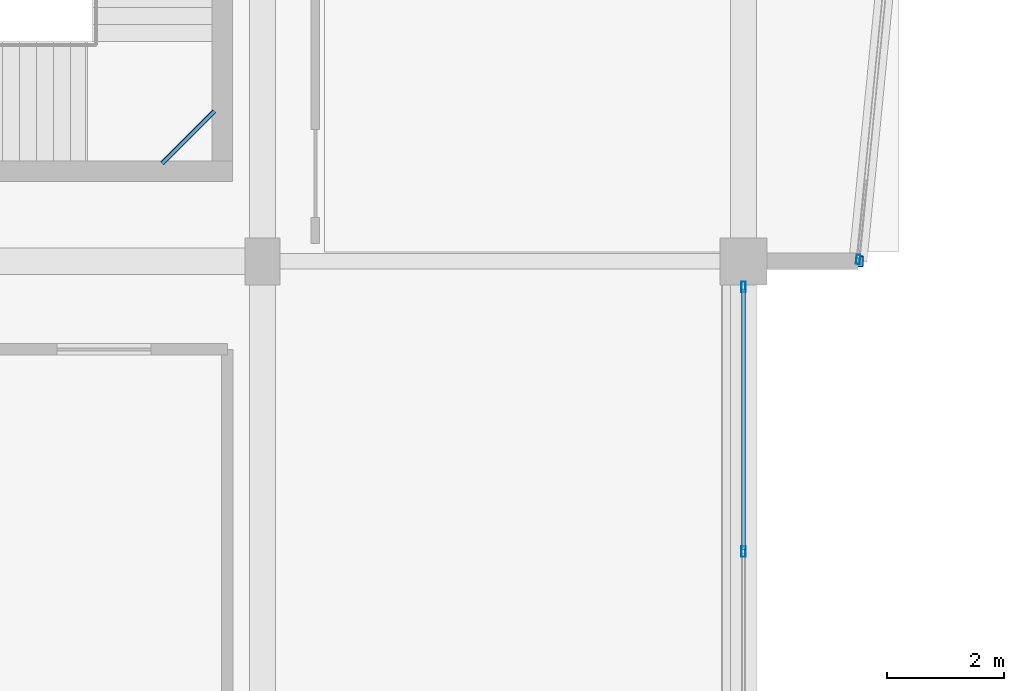
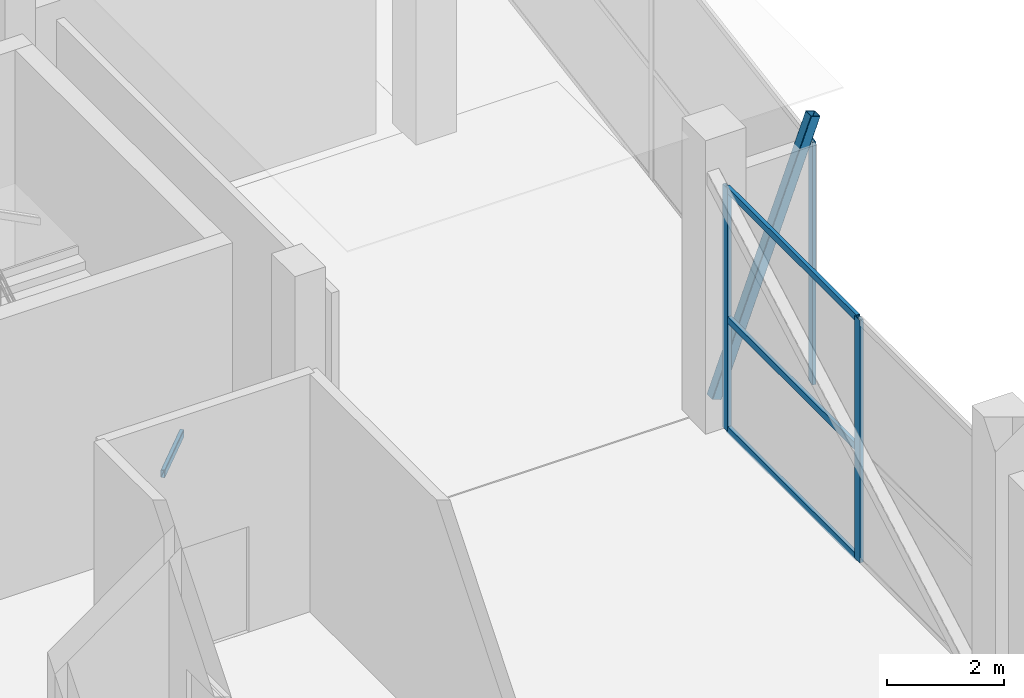
# One storey, part 19 of 58: 7 members, 1 beam, 2 elements without a shape of their own.
"""IFC4 building model written with IfcOpenShell, lengths in metres."""

from ifc_helpers import new_model, si_unit, direction, frame, origin, origin_2d, place, context, subcontext, project, spatial, hollow_rectangle, extrude, material, layer, layer_set, material_profile, profile_set, type_object, element, aggregate, save


model = new_model("IFC4")

# Units and contexts
model_context = context("Model", 3, precision=1e-05, world=origin(), true_north=direction((0.0, 1.0)))
body_context = subcontext(model_context, "Body", "Model", "MODEL_VIEW")
ifc_project = project(units=[si_unit("LENGTHUNIT", "METRE"), si_unit("AREAUNIT", "SQUARE_METRE"), si_unit("VOLUMEUNIT", "CUBIC_METRE"), si_unit("PLANEANGLEUNIT", "RADIAN"), si_unit("MASSUNIT", "GRAM", prefix="KILO")], contexts=[model_context])

# Site, building, storey
site_placement = place(None, origin())
site = spatial("IfcSite", under=ifc_project, at=site_placement, CompositionType="ELEMENT")
building_placement = place(site_placement, origin())
building = spatial("IfcBuilding", under=site, at=building_placement, Name="Sillaruma Civic Art Gallery", CompositionType="ELEMENT")
storey_placement = place(building_placement, frame((0.0, 0.0, 22.43994140625)))
storey = spatial("IfcBuildingStorey", under=building, at=storey_placement, Name="L04", CompositionType="ELEMENT", Elevation=22.43994140625)

# Beam
ifc_material_1 = material(Name="Structural Steel ASTM A500 Gr.C", Category="steel")
ifc_material_profile_1 = material_profile(ifc_material_1, hollow_rectangle(XDim=0.080078125, YDim=0.159912109375, WallThickness=0.008056640625, InnerFilletRadius=0.008056640625, OuterFilletRadius=0.01611328125, at=origin_2d()), Name="HSS160x80x8")
ifc_profile_set_1 = profile_set([ifc_material_profile_1], Name="Structural Steel ASTM A500 Gr.C")
beam_type = type_object("IfcBeamType", Name="BM-LND-HSS160", PredefinedType="BEAM", material=ifc_profile_set_1)
beam_placement = place(storey_placement, frame((104.489990234375, 51.169921875, 1.25), z_axis=(0.707009791025, 0.707203758046, 0.0), x_axis=(-0.707203758046, 0.707009791025, 0.0)))
element("IfcBeam", 1, at=beam_placement, inside=storey, type_object=beam_type, Name="Stair Corner Landing Trimmer Beam (ST-04-L04-1)", PredefinedType="BEAM", context=body_context, shape_type="SweptSolid", body=[
    extrude(hollow_rectangle(XDim=0.080078125, YDim=0.159912109375, WallThickness=0.008056640625, InnerFilletRadius=0.008056640625, OuterFilletRadius=0.01611328125, at=origin_2d()), origin(), (0.0, 0.0, 1.0), 1.2587890625),
])

# Curtain wall, member
ifc_material_2 = material(Name="Thermally Broken Extruded Aluminium 6063-T6", Category="aluminium")
ifc_layer_1 = layer(ifc_material_2, 0.159912109375, Name="Thermally Broken Extruded Aluminium 6063-T6")
ifc_layer_set_1 = layer_set([ifc_layer_1], Name="Thermally Broken Extruded Aluminium 6063-T6")
curtain_wall_type_1 = type_object("IfcCurtainWallType", Name="CW-UNI-25", PredefinedType="NOTDEFINED", material=ifc_layer_set_1)
curtain_wall_1_placement = place(storey_placement, origin())
curtain_wall_1 = element("IfcCurtainWall", 2, at=curtain_wall_1_placement, inside=storey, type_object=curtain_wall_type_1, Name="Unitised Curtain Wall CW-25 (CW-PRW-L04-E-ANG)", PredefinedType="NOTDEFINED")
ifc_material_profile_2 = material_profile(ifc_material_2, hollow_rectangle(XDim=0.06494140625, YDim=0.159912109375, WallThickness=0.00390625, at=origin_2d()), Name="CWM65x160")
ifc_profile_set_2 = profile_set([ifc_material_profile_2], Name="Thermally Broken Extruded Aluminium 6063-T6")
member_type_1 = type_object("IfcMemberType", Name="MEM-MUL-CWM65x160", PredefinedType="MULLION", material=ifc_profile_set_2)
member_1_placement = place(storey_placement, frame((116.353271484375, 49.5322265625, 0.0), z_axis=(0.0, 0.0, 1.0), x_axis=(-0.99518536297, 0.098010679679, 0.0)))
member_1 = element("IfcMember", 3, at=member_1_placement, type_object=member_type_1, Name="CW-25 mullion 1", PredefinedType="MULLION", context=body_context, shape_type="SweptSolid", body=[
    extrude(hollow_rectangle(XDim=0.06494140625, YDim=0.159912109375, WallThickness=0.00390625, at=origin_2d()), origin(), (0.0, 0.0, 1.0), 5.06005859375),
])
aggregate(curtain_wall_1, [member_1])

# Curtain wall, members
ifc_layer_2 = layer(ifc_material_2, 0.179931640625, Name="Thermally Broken Extruded Aluminium 6063-T6")
ifc_layer_set_2 = layer_set([ifc_layer_2], Name="Thermally Broken Extruded Aluminium 6063-T6")
curtain_wall_type_2 = type_object("IfcCurtainWallType", Name="CW-UNI-22", PredefinedType="NOTDEFINED", material=ifc_layer_set_2)
curtain_wall_2_placement = place(storey_placement, origin())
curtain_wall_2 = element("IfcCurtainWall", 4, at=curtain_wall_2_placement, inside=storey, type_object=curtain_wall_type_2, Name="Unitised Curtain Wall CW-22 (CW-L04-E-3)", PredefinedType="NOTDEFINED")
ifc_material_profile_3 = material_profile(ifc_material_2, hollow_rectangle(XDim=0.070068359375, YDim=0.179931640625, WallThickness=0.00390625, at=origin_2d()), Name="CWM70x180")
ifc_profile_set_3 = profile_set([ifc_material_profile_3], Name="Thermally Broken Extruded Aluminium 6063-T6")
member_type_2 = type_object("IfcMemberType", Name="MEM-MUL-CWM70x180", PredefinedType="MULLION", material=ifc_profile_set_3)
member_2_placement = place(storey_placement, frame((114.39990234375, 44.550048828125, 0.0), z_axis=(0.0, 0.0, 1.0), x_axis=(-1.0, 0.0, 0.0)))
member_2 = element("IfcMember", 5, at=member_2_placement, type_object=member_type_2, Name="CW-22 mullion 2", PredefinedType="MULLION", context=body_context, shape_type="SweptSolid", body=[
    extrude(hollow_rectangle(XDim=0.070068359375, YDim=0.179931640625, WallThickness=0.00390625, at=origin_2d()), origin(), (0.0, 0.0, 1.0), 5.06005859375),
])
member_3_placement = place(storey_placement, frame((114.39990234375, 49.06494140625, 0.0), z_axis=(0.0, 0.0, 1.0), x_axis=(-1.0, 0.0, 0.0)))
member_3 = element("IfcMember", 6, at=member_3_placement, type_object=member_type_2, Name="CW-22 mullion 3", PredefinedType="MULLION", context=body_context, shape_type="SweptSolid", body=[
    extrude(hollow_rectangle(XDim=0.070068359375, YDim=0.179931640625, WallThickness=0.00390625, at=origin_2d()), origin(), (0.0, 0.0, 1.0), 5.06005859375),
])

# Member
ifc_material_profile_4 = material_profile(ifc_material_1, hollow_rectangle(XDim=0.199951171875, YDim=0.199951171875, WallThickness=0.010009765625, InnerFilletRadius=0.010009765625, OuterFilletRadius=0.02001953125, at=origin_2d()), Name="HSS200x200x10")
ifc_profile_set_4 = profile_set([ifc_material_profile_4], Name="Structural Steel ASTM A500 Gr.C")
member_type_3 = type_object("IfcMemberType", Name="MEM-PROW-BRACE", PredefinedType="BRACE", material=ifc_profile_set_4)
member_4_placement = place(storey_placement, frame((114.39990234375, 49.5, 0.400146484375), z_axis=(0.349717277447, 0.0, 0.936855285439), x_axis=(0.0, 1.0, 0.0)))
element("IfcMember", 7, at=member_4_placement, inside=storey, type_object=member_type_3, Name="Deconstructivist Prow Diagonal Brace (PRW-L04-E-ROF-S)", PredefinedType="BRACE", context=body_context, shape_type="SweptSolid", body=[
    extrude(hollow_rectangle(XDim=0.199951171875, YDim=0.199951171875, WallThickness=0.010009765625, InnerFilletRadius=0.010009765625, OuterFilletRadius=0.02001953125, at=origin_2d()), origin(), (0.0, 0.0, 1.0), 5.576416015625),
])

ifc_material_profile_5 = material_profile(ifc_material_2, hollow_rectangle(XDim=0.070068359375, YDim=0.139892578125, WallThickness=0.00390625, at=origin_2d()), Name="CWT70x140")
ifc_profile_set_5 = profile_set([ifc_material_profile_5], Name="Thermally Broken Extruded Aluminium 6063-T6")
member_type_4 = type_object("IfcMemberType", Name="MEM-TRN-CWT70x140", PredefinedType="USERDEFINED", material=ifc_profile_set_5)
member_5_placement = place(storey_placement, frame((114.39990234375, 44.5849609375, 0.03515625), z_axis=(0.0, 1.0, 0.0), x_axis=(-1.0, 0.0, 0.0)))
member_5 = element("IfcMember", 8, at=member_5_placement, type_object=member_type_4, Name="CW-22 transom 2.1", ObjectType="TRANSOM", PredefinedType="USERDEFINED", context=body_context, shape_type="SweptSolid", body=[
    extrude(hollow_rectangle(XDim=0.070068359375, YDim=0.139892578125, WallThickness=0.00390625, at=origin_2d()), origin(), (0.0, 0.0, 1.0), 4.445068359375),
])

member_6_placement = place(storey_placement, frame((114.39990234375, 44.5849609375, 2.32763671875), z_axis=(0.0, 1.0, 0.0), x_axis=(-1.0, 0.0, 0.0)))
member_6 = element("IfcMember", 9, at=member_6_placement, type_object=member_type_4, Name="CW-22 transom 2.2", ObjectType="TRANSOM", PredefinedType="USERDEFINED", context=body_context, shape_type="SweptSolid", body=[
    extrude(hollow_rectangle(XDim=0.070068359375, YDim=0.139892578125, WallThickness=0.00390625, at=origin_2d()), origin(), (0.0, 0.0, 1.0), 4.445068359375),
])

member_7_placement = place(storey_placement, frame((114.39990234375, 44.5849609375, 5.025146484375), z_axis=(0.0, 1.0, 0.0), x_axis=(-1.0, 0.0, 0.0)))
member_7 = element("IfcMember", 10, at=member_7_placement, type_object=member_type_4, Name="CW-22 transom 2.3", ObjectType="TRANSOM", PredefinedType="USERDEFINED", context=body_context, shape_type="SweptSolid", body=[
    extrude(hollow_rectangle(XDim=0.070068359375, YDim=0.139892578125, WallThickness=0.00390625, at=origin_2d()), origin(), (0.0, 0.0, 1.0), 4.445068359375),
])

aggregate(curtain_wall_2, [member_2, member_3, member_5, member_6, member_7])

save(model, "model.ifc")
